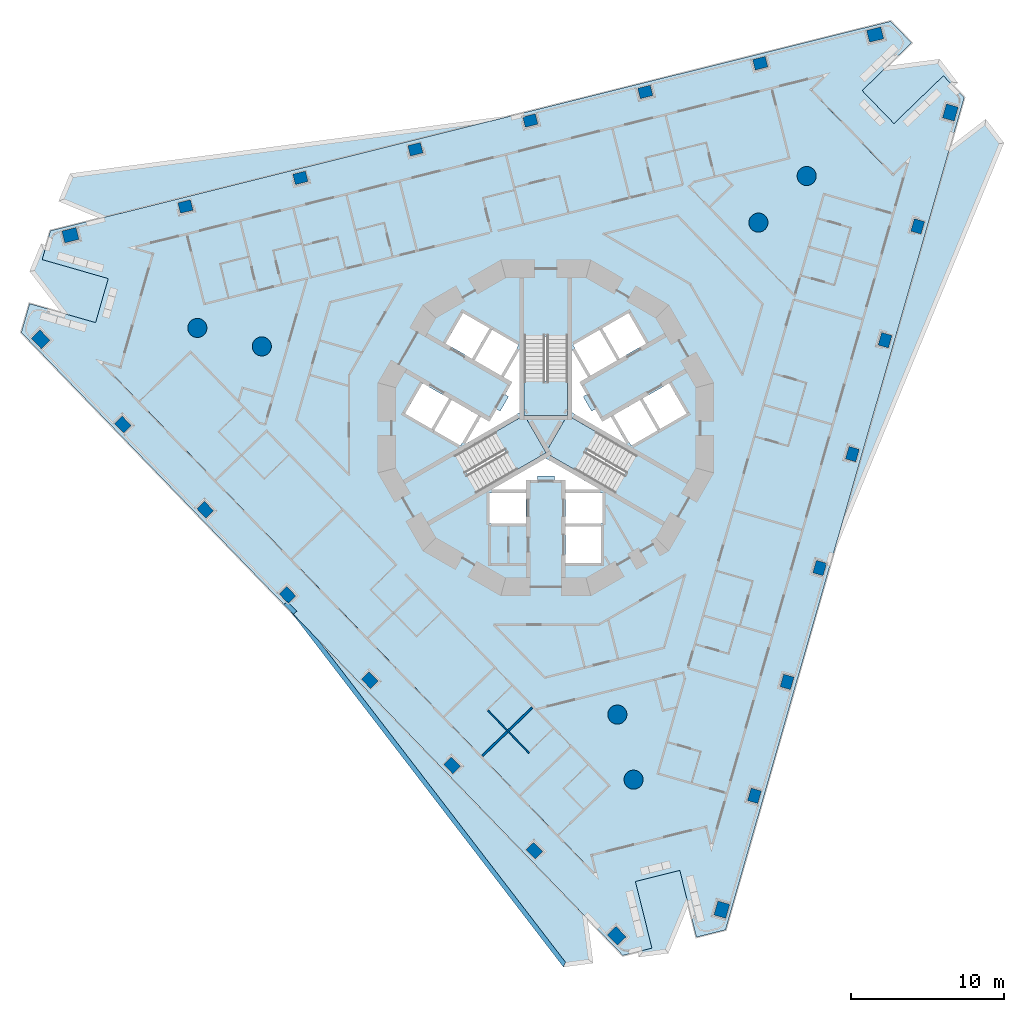
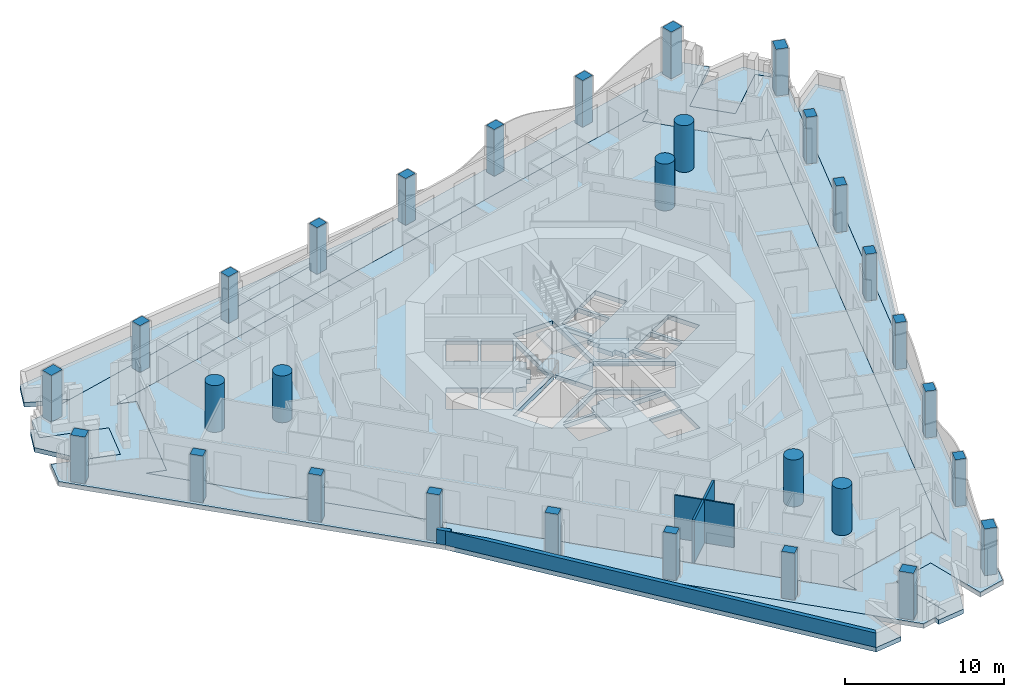
# One storey, part 1 of 19: 30 columns, 12 slabs, 4 walls, 3 elements without a shape of their own.
"""IFC4 building model written with IfcOpenShell, lengths in metres."""

from ifc_helpers import new_model, si_unit, direction, frame, frame_2d, origin, origin_2d, place, context, subcontext, project, spatial, polyline, rectangle, circle, outline, extrude, material, layer, layer_set, material_profile, profile_set, type_object, element, aggregate, save


model = new_model("IFC4")

# Units and contexts
model_context = context("Model", 3, precision=1e-05, world=origin(), true_north=direction((0.0, 1.0)))
body_context = subcontext(model_context, "Body", "Model", "MODEL_VIEW")
ifc_project = project(units=[si_unit("LENGTHUNIT", "METRE"), si_unit("AREAUNIT", "SQUARE_METRE"), si_unit("VOLUMEUNIT", "CUBIC_METRE"), si_unit("PLANEANGLEUNIT", "RADIAN"), si_unit("MASSUNIT", "GRAM", prefix="KILO")], contexts=[model_context])

# Site, building, storey
site_placement = place(None, origin())
site = spatial("IfcSite", under=ifc_project, at=site_placement, CompositionType="ELEMENT")
building_placement = place(site_placement, origin())
building = spatial("IfcBuilding", under=site, at=building_placement, Name="Trine Commons Tower", CompositionType="ELEMENT")
storey_placement = place(building_placement, frame((0.0, 0.0, 87.300048828125)))
storey = spatial("IfcBuildingStorey", under=building, at=storey_placement, Name="L21", CompositionType="ELEMENT", Elevation=87.300048828125)

# Columns
ifc_material_1 = material(Name="Concrete C70/85", Category="concrete")
ifc_material_profile_1 = material_profile(ifc_material_1, rectangle(XDim=0.85009765625, YDim=0.699951171875, at=origin_2d()), Name="RC 850x700")
ifc_profile_set_1 = profile_set([ifc_material_profile_1], Name="Concrete C70/85")
column_type_1 = type_object("IfcColumnType", Name="RC column 850x700, C70/85", PredefinedType="COLUMN", material=ifc_profile_set_1)
for number, where, z_axis, x_axis, name in (
    (1, (79.251708984375, 34.81640625, -0.35009765625), (0.0, 0.0, 1.0), (-0.694658370459, 0.719339800339, 0.0), "Column PC3-02 L21"),
    (2, (73.86279296875, 40.396728515625, -0.35009765625), (0.0, 0.0, 1.0), (-0.694658370459, 0.719339800339, 0.0), "Column PC3-03 L21"),
    (3, (68.473876953125, 45.977294921875, -0.35009765625), (0.0, 0.0, 1.0), (-0.694658370459, 0.719339800339, 0.0), "Column PC3-04 L21"),
    (4, (63.0849609375, 51.5576171875, -0.35009765625), (0.0, 0.0, 1.0), (-0.694658370459, 0.719339800339, 0.0), "Column PC3-05 L21"),
    (5, (57.696044921875, 57.137939453125, -0.35009765625), (0.0, 0.0, 1.0), (-0.694658370459, 0.719339800339, 0.0), "Column PC3-06 L21"),
    (6, (52.30712890625, 62.71826171875, -0.35009765625), (0.0, 0.0, 1.0), (-0.694658370459, 0.719339800339, 0.0), "Column PC3-07 L21"),
    (7, (56.3994140625, 76.98974609375, -0.35009765625), (0.0, 0.0, 1.0), (0.970295726276, 0.2419218956, 0.0), "Column PC3-10 L21"),
    (8, (63.926513671875, 78.86669921875, -0.35009765625), (0.0, 0.0, 1.0), (0.970295726276, 0.2419218956, 0.0), "Column PC3-11 L21"),
    (9, (71.453857421875, 80.743408203125, -0.35009765625), (0.0, 0.0, 1.0), (0.970295726276, 0.2419218956, 0.0), "Column PC3-12 L21"),
    (10, (78.981201171875, 82.6201171875, -0.35009765625), (0.0, 0.0, 1.0), (0.970295726276, 0.2419218956, 0.0), "Column PC3-13 L21"),
    (11, (86.50830078125, 84.496826171875, -0.35009765625), (0.0, 0.0, 1.0), (0.970295726276, 0.2419218956, 0.0), "Column PC3-14 L21"),
    (12, (94.035400390625, 86.37353515625, -0.35009765625), (0.0, 0.0, 1.0), (0.970295726276, 0.2419218956, 0.0), "Column PC3-15 L21"),
    (13, (104.348876953125, 75.69384765625, -0.35009765625), (0.0, 0.0, 1.0), (0.275637355817, 0.961261695938, 0.0), "Column PC3-18 L21"),
    (14, (102.210693359375, 68.23681640625, -0.35009765625), (0.0, 0.0, 1.0), (0.275637355817, 0.961261695938, 0.0), "Column PC3-19 L21"),
    (15, (100.072265625, 60.779541015625, -0.35009765625), (0.0, 0.0, 1.0), (0.275637355817, 0.961261695938, 0.0), "Column PC3-20 L21"),
    (16, (97.93408203125, 53.322509765625, -0.35009765625), (0.0, 0.0, 1.0), (0.275637355817, 0.961261695938, 0.0), "Column PC3-21 L21"),
    (17, (95.795654296875, 45.865234375, -0.35009765625), (0.0, 0.0, 1.0), (0.275637355817, 0.961261695938, 0.0), "Column PC3-22 L21"),
    (18, (93.657470703125, 38.408203125, -0.35009765625), (0.0, 0.0, 1.0), (0.275637355817, 0.961261695938, 0.0), "Column PC3-23 L21"),
):
    element("IfcColumn", number, at=place(storey_placement, frame(where, z_axis=z_axis, x_axis=x_axis)), inside=storey, type_object=column_type_1, Name=name, PredefinedType="COLUMN", context=body_context, shape_type="SweptSolid", body=[
        extrude(rectangle(XDim=0.85009765625, YDim=0.699951171875, at=origin_2d()), origin(), (0.0, 0.0, 1.0), 3.949951171875),
    ])
ifc_material_profile_2 = material_profile(ifc_material_1, rectangle(XDim=0.949951171875, YDim=0.800048828125, at=origin_2d()), Name="RC 950x800")
ifc_profile_set_2 = profile_set([ifc_material_profile_2], Name="Concrete C70/85")
column_type_2 = type_object("IfcColumnType", Name="RC column 950x800, C70/85", PredefinedType="COLUMN", material=ifc_profile_set_2)
for number, where, z_axis, x_axis, name in (
    (19, (84.640625, 29.236083984375, -0.35009765625), (0.0, 0.0, 1.0), (-0.694658370459, 0.719339800339, 0.0), "Column PC3-01 L21"),
    (20, (46.918212890625, 68.298583984375, -0.35009765625), (0.0, 0.0, 1.0), (-0.694658370459, 0.719339800339, 0.0), "Column PC3-08 L21"),
    (21, (48.872314453125, 75.113037109375, -0.35009765625), (0.0, 0.0, 1.0), (0.970295726276, 0.2419218956, 0.0), "Column PC3-09 L21"),
    (22, (101.562744140625, 88.250244140625, -0.35009765625), (0.0, 0.0, 1.0), (0.970295726276, 0.2419218956, 0.0), "Column PC3-16 L21"),
    (23, (106.4873046875, 83.15087890625, -0.35009765625), (0.0, 0.0, 1.0), (0.275637355817, 0.961261695938, 0.0), "Column PC3-17 L21"),
    (24, (91.51904296875, 30.950927734375, -0.35009765625), (0.0, 0.0, 1.0), (0.275637355817, 0.961261695938, 0.0), "Column PC3-24 L21"),
):
    element("IfcColumn", number, at=place(storey_placement, frame(where, z_axis=z_axis, x_axis=x_axis)), inside=storey, type_object=column_type_2, Name=name, PredefinedType="COLUMN", context=body_context, shape_type="SweptSolid", body=[
        extrude(rectangle(XDim=0.949951171875, YDim=0.800048828125, at=origin_2d()), origin(), (0.0, 0.0, 1.0), 3.949951171875),
    ])
ifc_material_profile_3 = material_profile(ifc_material_1, circle(Radius=0.625, at=origin_2d()), Name="RC round 1250")
ifc_profile_set_3 = profile_set([ifc_material_profile_3], Name="Concrete C70/85")
column_type_3 = type_object("IfcColumnType", Name="RC round column 1250 mm, C70/85", PredefinedType="COLUMN", material=ifc_profile_set_3)
for number, where, z_axis, x_axis, name in (
    (25, (84.6806640625, 43.726806640625, -0.35009765625), (0.0, 0.0, 1.0), (1.0, 0.0, 0.0), "Column WC3-1 L21"),
    (26, (85.742919921875, 39.4658203125, -0.35009765625), (0.0, 0.0, 1.0), (1.0, 0.0, 0.0), "Column WC3-2 L21"),
    (27, (93.917724609375, 75.940185546875, -0.35009765625), (0.0, 0.0, 1.0), (1.0, 0.0, 0.0), "Column WC3-3 L21"),
    (28, (97.07666015625, 78.99072265625, -0.35009765625), (0.0, 0.0, 1.0), (1.0, 0.0, 0.0), "Column WC3-4 L21"),
    (29, (61.401611328125, 67.8330078125, -0.35009765625), (0.0, 0.0, 1.0), (1.0, 0.0, 0.0), "Column WC3-5 L21"),
    (30, (57.180419921875, 69.04345703125, -0.35009765625), (0.0, 0.0, 1.0), (1.0, 0.0, 0.0), "Column WC3-6 L21"),
):
    element("IfcColumn", number, at=place(storey_placement, frame(where, z_axis=z_axis, x_axis=x_axis)), inside=storey, type_object=column_type_3, Name=name, PredefinedType="COLUMN", context=body_context, shape_type="SweptSolid", body=[
        extrude(circle(Radius=0.625, at=origin_2d()), origin(), (0.0, 0.0, 1.0), 3.949951171875),
    ])

# Slabs
ifc_material_2 = material(Name="Concrete C50/60", Category="concrete")
ifc_layer_1 = layer(ifc_material_2, 0.35009765625)
ifc_layer_set_1 = layer_set([ifc_layer_1], Name="Concrete C50/60")
slab_type_1 = type_object("IfcSlabType", Name="Loggia slab 350 mm, C50/60", PredefinedType="FLOOR", material=ifc_layer_set_1)
slab_1_placement = place(storey_placement, frame((0.0, 0.0, -0.35009765625)))
element("IfcSlab", 31, at=slab_1_placement, inside=storey, type_object=slab_type_1, Name="Loggia slab L21", PredefinedType="FLOOR", context=body_context, shape_type="SweptSolid", body=[
    extrude(outline(polyline([(91.764892578125, 29.632080078125), (107.394775390625, 84.13916015625), (106.0302734375, 85.552001953125), (102.793212890625, 82.426025390625), (100.709228515625, 84.583984375), (103.9462890625, 87.7099609375), (102.581787109375, 89.122802734375), (47.562744140625, 75.405029296875), (47.021240234375, 73.516845703125), (51.346923828125, 72.276611328125), (50.52001953125, 69.392822265625), (46.1943359375, 70.63330078125), (45.653076171875, 68.7451171875), (85.04248046875, 27.9560546875), (86.948486328125, 28.43115234375), (85.85986328125, 32.797607421875), (88.7705078125, 33.523193359375), (89.859375, 29.156982421875), (91.764892578125, 29.632080078125)]), holes=[polyline([(83.27587890625, 33.240478515625), (82.950439453125, 34.545654296875), (90.518798828125, 36.4326171875), (90.843994140625, 35.12744140625), (103.701416015625, 79.966796875), (102.73388671875, 79.032470703125), (97.315673828125, 84.643310546875), (98.283203125, 85.577392578125), (53.022705078125, 74.292724609375), (54.3154296875, 73.922119140625), (52.16552734375, 66.42431640625), (50.872802734375, 66.794921875), (83.27587890625, 33.240478515625)])]), origin(), (0.0, 0.0, 1.0), 0.35009765625),
])
ifc_layer_2 = layer(ifc_material_2, 0.35009765625)
ifc_layer_set_2 = layer_set([ifc_layer_2], Name="Concrete C50/60")
slab_type_2 = type_object("IfcSlabType", Name="PT flat slab 350 mm, C50/60", PredefinedType="FLOOR", material=ifc_layer_set_2)
slab_2_placement = place(storey_placement, frame((0.0, 0.0, -0.35009765625)))
element("IfcSlab", 32, at=slab_2_placement, inside=storey, type_object=slab_type_2, Name="Floor slab L21", PredefinedType="FLOOR", context=body_context, shape_type="SweptSolid", body=[
    extrude(outline(polyline([(50.872802734375, 66.794921875), (83.27587890625, 33.240478515625), (82.950439453125, 34.545654296875), (90.518798828125, 36.4326171875), (90.843994140625, 35.12744140625), (103.701416015625, 79.966796875), (102.73388671875, 79.032470703125), (97.315673828125, 84.643310546875), (98.283203125, 85.577392578125), (53.022705078125, 74.292724609375), (54.3154296875, 73.922119140625), (52.16552734375, 66.42431640625), (50.872802734375, 66.794921875)]), holes=[polyline([(76.300048828125, 56.25), (78.699951171875, 56.25), (78.699951171875, 58.25), (76.300048828125, 58.25), (76.300048828125, 56.25)]), polyline([(81.14990234375, 59.10009765625), (81.300048828125, 58.449951171875), (83.56494140625, 58.449951171875), (80.0, 60.508056640625), (76.43505859375, 58.449951171875), (78.699951171875, 58.449951171875), (78.85009765625, 59.10009765625), (79.449951171875, 59.10009765625), (79.449951171875, 59.360107421875), (80.550048828125, 59.360107421875), (80.550048828125, 59.10009765625), (81.14990234375, 59.10009765625)]), polyline([(80.0, 60.8544921875), (84.4755859375, 58.2705078125), (85.900390625, 60.73876953125), (81.425048828125, 63.32275390625), (81.425048828125, 68.490478515625), (78.574951171875, 68.490478515625), (78.574951171875, 63.32275390625), (74.099609375, 60.73876953125), (75.5244140625, 58.2705078125), (80.0, 60.8544921875)]), polyline([(73.83740234375, 64.325927734375), (72.687255859375, 62.333984375), (74.41943359375, 61.333984375), (75.5693359375, 63.325927734375), (73.83740234375, 64.325927734375)]), polyline([(71.93212890625, 65.426025390625), (70.781982421875, 63.43408203125), (72.51416015625, 62.43408203125), (73.6640625, 64.426025390625), (71.93212890625, 65.426025390625)]), polyline([(76.781005859375, 63.722900390625), (76.381103515625, 63.031005859375), (75.742919921875, 63.22607421875), (74.7099609375, 61.43798828125), (78.27490234375, 63.49609375), (78.27490234375, 67.612060546875), (77.242919921875, 65.823974609375), (77.73095703125, 65.368896484375), (77.3310546875, 64.676025390625), (77.555908203125, 64.5458984375), (77.006103515625, 63.593994140625), (76.781005859375, 63.722900390625)]), polyline([(76.4873046875, 68.916015625), (75.33740234375, 66.924072265625), (77.0693359375, 65.924072265625), (78.219482421875, 67.916015625), (76.4873046875, 68.916015625)]), polyline([(74.58203125, 70.015869140625), (73.43212890625, 68.02392578125), (75.1640625, 67.02392578125), (76.314208984375, 69.015869140625), (74.58203125, 70.015869140625)]), polyline([(81.300048828125, 53.64990234375), (83.60009765625, 53.64990234375), (83.60009765625, 56.050048828125), (81.300048828125, 56.050048828125), (81.300048828125, 53.64990234375)]), polyline([(81.300048828125, 56.25), (83.699951171875, 56.25), (83.699951171875, 58.25), (81.300048828125, 58.25), (81.300048828125, 56.25)]), polyline([(87.312744140625, 62.333984375), (86.16259765625, 64.325927734375), (84.4306640625, 63.325927734375), (85.58056640625, 61.333984375), (87.312744140625, 62.333984375)]), polyline([(89.218017578125, 63.43408203125), (88.06787109375, 65.426025390625), (86.3359375, 64.426025390625), (87.48583984375, 62.43408203125), (89.218017578125, 63.43408203125)]), polyline([(83.243896484375, 63.738037109375), (82.993896484375, 63.593994140625), (82.444091796875, 64.5458984375), (82.72705078125, 64.7099609375), (82.281005859375, 65.549072265625), (82.757080078125, 65.823974609375), (81.72509765625, 67.612060546875), (81.72509765625, 63.49609375), (85.2900390625, 61.43798828125), (84.257080078125, 63.22607421875), (83.618896484375, 63.031005859375), (83.243896484375, 63.738037109375)]), polyline([(82.9306640625, 65.924072265625), (84.66259765625, 66.924072265625), (83.5126953125, 68.916015625), (81.780517578125, 67.916015625), (82.9306640625, 65.924072265625)]), polyline([(84.8359375, 67.02392578125), (86.56787109375, 68.02392578125), (85.41796875, 70.015869140625), (83.685791015625, 69.015869140625), (84.8359375, 67.02392578125)])]), origin(), (0.0, 0.0, 1.0), 0.35009765625),
])
slab_3_placement = place(storey_placement, frame((0.0, 0.0, -0.35009765625)))
element("IfcSlab", 33, at=slab_3_placement, inside=storey, type_object=slab_type_2, Name="Floor slab L21 2", PredefinedType="FLOOR", context=body_context, shape_type="SweptSolid", body=[
    extrude(outline(polyline([(78.61328125, 63.300537109375), (80.0, 60.89892578125), (81.38671875, 63.300537109375), (78.61328125, 63.300537109375)])), origin(), (0.0, 0.0, 1.0), 0.35009765625),
])
ifc_layer_3 = layer(ifc_material_2, 0.35009765625)
ifc_layer_set_3 = layer_set([ifc_layer_3], Name="Concrete C50/60")
slab_type_3 = type_object("IfcSlabType", Name="Roof slab 350 mm, C50/60", PredefinedType="ROOF", material=ifc_layer_set_3)
slab_4_placement = place(storey_placement, frame((0.0, 0.0, -0.35009765625)))
element("IfcSlab", 34, at=slab_4_placement, inside=storey, type_object=slab_type_3, Name="Roof slab L21 1", PredefinedType="ROOF", context=body_context, shape_type="SweptSolid", body=[
    extrude(outline(polyline([(48.281982421875, 70.034423828125), (50.52001953125, 69.392822265625), (51.346923828125, 72.276611328125), (47.021240234375, 73.516845703125), (47.28271484375, 74.428466796875), (46.948486328125, 74.56689453125), (46.19677734375, 72.752197265625), (48.281982421875, 70.034423828125)])), origin(), (0.0, 0.0, 1.0), 0.35009765625),
])
slab_5_placement = place(storey_placement, frame((0.0, 0.0, -0.35009765625)))
element("IfcSlab", 35, at=slab_5_placement, inside=storey, type_object=slab_type_3, Name="Roof slab L21 2", PredefinedType="ROOF", context=body_context, shape_type="SweptSolid", body=[
    extrude(outline(polyline([(50.809814453125, 76.214599609375), (77.97607421875, 82.98779296875), (48.847900390625, 79.153076171875), (48.096435546875, 77.33837890625), (50.809814453125, 76.214599609375)])), origin(), (0.0, 0.0, 1.0), 0.35009765625),
])
slab_6_placement = place(storey_placement, frame((0.0, 0.0, -0.35009765625)))
element("IfcSlab", 36, at=slab_6_placement, inside=storey, type_object=slab_type_3, Name="Roof slab L21 3", PredefinedType="ROOF", context=body_context, shape_type="SweptSolid", body=[
    extrude(outline(polyline([(82.718017578125, 30.36328125), (63.268798828125, 50.50341796875), (81.154052734375, 27.195068359375), (83.101318359375, 27.451416015625), (82.718017578125, 30.36328125)])), origin(), (0.0, 0.0, 1.0), 0.35009765625),
])
slab_7_placement = place(storey_placement, frame((0.0, 0.0, -0.35009765625)))
element("IfcSlab", 37, at=slab_7_placement, inside=storey, type_object=slab_type_3, Name="Roof slab L21 4", PredefinedType="ROOF", context=body_context, shape_type="SweptSolid", body=[
    extrude(outline(polyline([(88.02294921875, 28.099365234375), (89.333984375, 31.264404296875), (88.7705078125, 33.523193359375), (85.85986328125, 32.797607421875), (86.948486328125, 28.43115234375), (86.0283203125, 28.201904296875), (86.07568359375, 27.843017578125), (88.02294921875, 28.099365234375)])), origin(), (0.0, 0.0, 1.0), 0.35009765625),
])
slab_8_placement = place(storey_placement, frame((0.0, 0.0, -0.35009765625)))
element("IfcSlab", 38, at=slab_8_placement, inside=storey, type_object=slab_type_3, Name="Roof slab L21 5", PredefinedType="ROOF", context=body_context, shape_type="SweptSolid", body=[
    extrude(outline(polyline([(102.384033203125, 86.201171875), (100.709228515625, 84.583984375), (102.793212890625, 82.426025390625), (106.0302734375, 85.552001953125), (106.68896484375, 84.869873046875), (106.97607421875, 85.090087890625), (105.780517578125, 86.6484375), (102.384033203125, 86.201171875)])), origin(), (0.0, 0.0, 1.0), 0.35009765625),
])
slab_9_placement = place(storey_placement, frame((0.0, 0.0, -0.35009765625)))
element("IfcSlab", 39, at=slab_9_placement, inside=storey, type_object=slab_type_3, Name="Roof slab L21 6", PredefinedType="ROOF", context=body_context, shape_type="SweptSolid", body=[
    extrude(outline(polyline([(106.47216796875, 80.922119140625), (98.7548828125, 54.0087890625), (109.998046875, 81.15185546875), (108.80224609375, 82.710205078125), (106.47216796875, 80.922119140625)])), origin(), (0.0, 0.0, 1.0), 0.35009765625),
])

# Stair, slab
stair_type = type_object("IfcStairType", Name="Exit stair, dog-leg, 24 risers of 150 mm", PredefinedType="HALF_TURN_STAIR", material=ifc_material_2)
stair_1_placement = place(storey_placement, origin())
stair_1 = element("IfcStair", 40, at=stair_1_placement, inside=storey, type_object=stair_type, Name="L21 Exit stair ST1A", PredefinedType="HALF_TURN_STAIR")
ifc_layer_4 = layer(ifc_material_2, 0.199951171875)
ifc_layer_set_4 = layer_set([ifc_layer_4], Name="Concrete C50/60")
slab_type_4 = type_object("IfcSlabType", Name="Stair landing slab 200 mm, C50/60", PredefinedType="LANDING", material=ifc_layer_set_4)
slab_10_placement = place(storey_placement, frame((0.0, 0.0, 1.599853515625)))
slab_10 = element("IfcSlab", 41, at=slab_10_placement, type_object=slab_type_4, Name="ST1A landing 1", PredefinedType="LANDING", context=body_context, shape_type="SweptSolid", body=[
    extrude(outline(polyline([(78.574951171875, 65.570556640625), (78.574951171875, 63.300537109375), (81.425048828125, 63.300537109375), (81.425048828125, 65.570556640625), (78.574951171875, 65.570556640625)])), origin(), (0.0, 0.0, 1.0), 0.2001953125),
])
aggregate(stair_1, [slab_10])

stair_2_placement = place(storey_placement, origin())
stair_2 = element("IfcStair", 42, at=stair_2_placement, inside=storey, type_object=stair_type, Name="L21 Exit stair ST2A", PredefinedType="HALF_TURN_STAIR")
slab_11_placement = place(storey_placement, frame((0.0, 0.0, 1.599853515625)))
slab_11 = element("IfcSlab", 43, at=slab_11_placement, type_object=slab_type_4, Name="ST2A landing 1", PredefinedType="LANDING", context=body_context, shape_type="SweptSolid", body=[
    extrude(outline(polyline([(78.05322265625, 59.730712890625), (80.019287109375, 60.86572265625), (78.59423828125, 63.333740234375), (76.628173828125, 62.19873046875), (78.05322265625, 59.730712890625)])), origin(), (0.0, 0.0, 1.0), 0.2001953125),
])
aggregate(stair_2, [slab_11])

stair_3_placement = place(storey_placement, origin())
stair_3 = element("IfcStair", 44, at=stair_3_placement, inside=storey, type_object=stair_type, Name="L21 Exit stair ST3A", PredefinedType="HALF_TURN_STAIR")
slab_12_placement = place(storey_placement, frame((0.0, 0.0, 1.599853515625)))
slab_12 = element("IfcSlab", 45, at=slab_12_placement, type_object=slab_type_4, Name="ST3A landing 1", PredefinedType="LANDING", context=body_context, shape_type="SweptSolid", body=[
    extrude(outline(polyline([(83.371826171875, 62.19873046875), (81.40576171875, 63.333740234375), (79.980712890625, 60.86572265625), (81.94677734375, 59.730712890625), (83.371826171875, 62.19873046875)])), origin(), (0.0, 0.0, 1.0), 0.2001953125),
])
aggregate(stair_3, [slab_12])

# Walls
ifc_material_3 = material(Name="Limestone, honed", Category="masonry")
ifc_layer_5 = layer(ifc_material_3, 0.300048828125)
ifc_layer_set_5 = layer_set([ifc_layer_5], Name="Limestone, honed")
wall_type_1 = type_object("IfcWallType", Name="Stone parapet 300", PredefinedType="PARAPET", material=ifc_layer_set_5)
wall_1_placement = place(storey_placement, origin())
element("IfcWall", 46, at=wall_1_placement, inside=storey, type_object=wall_type_1, Name="Sliver roof parapet L20 3.1", PredefinedType="PARAPET", context=body_context, shape_type="SweptSolid", body=[
    extrude(outline(polyline([(63.268798828125, 50.50341796875), (81.154052734375, 27.195068359375), (81.28662109375, 27.51513671875), (65.10986328125, 48.596923828125), (63.268798828125, 50.50341796875)])), origin(), (0.0, 0.0, 1.0), 1.099853515625),
])
wall_2_placement = place(storey_placement, origin())
element("IfcWall", 47, at=wall_2_placement, inside=storey, type_object=wall_type_1, Name="Sliver roof parapet extension L20 3.X1", PredefinedType="PARAPET", context=body_context, shape_type="SweptSolid", body=[
    extrude(outline(polyline([(63.06787109375, 51.143310546875), (62.85205078125, 50.934814453125), (63.477294921875, 50.28759765625), (63.693115234375, 50.495849609375), (63.06787109375, 51.143310546875)])), origin(), (0.0, 0.0, 1.0), 1.099853515625),
])
ifc_material_4 = material(Name="Gypsum plasterboard on steel stud", Category="steel")
ifc_layer_6 = layer(ifc_material_4, 0.14990234375)
ifc_layer_set_6 = layer_set([ifc_layer_6], Name="Gypsum plasterboard on steel stud")
wall_type_2 = type_object("IfcWallType", Name="Unit and corridor wall 150 mm, EI 60", PredefinedType="PARTITIONING", material=ifc_layer_set_6)
wall_3_placement = place(storey_placement, frame((75.826904296875, 41.01171875, 0.0), z_axis=(0.0, 0.0, 1.0), x_axis=(0.719333374814, 0.694665024223, 0.0)))
element("IfcWall", 48, at=wall_3_placement, inside=storey, type_object=wall_type_2, Name="Partition 052", PredefinedType="PARTITIONING", context=body_context, shape_type="SweptSolid", body=[
    extrude(rectangle(XDim=4.572265625, YDim=0.14990234375, at=frame_2d((2.2861328125, 0.0))), origin(), (0.0, 0.0, 1.0), 3.300048828125),
])
ifc_layer_7 = layer(ifc_material_4, 0.10009765625)
ifc_layer_set_7 = layer_set([ifc_layer_7], Name="Gypsum plasterboard on steel stud")
wall_type_3 = type_object("IfcWallType", Name="Unit partition 100 mm, no rating", PredefinedType="PARTITIONING", material=ifc_layer_set_7)
wall_4_placement = place(storey_placement, frame((76.19580078125, 44.009033203125, 0.0), z_axis=(0.0, 0.0, 1.0), x_axis=(0.694697299155, -0.719302205298, 0.0)))
element("IfcWall", 49, at=wall_4_placement, inside=storey, type_object=wall_type_3, Name="Partition 056", PredefinedType="PARTITIONING", context=body_context, shape_type="SweptSolid", body=[
    extrude(rectangle(XDim=3.8994140625, YDim=0.10009765625, at=frame_2d((1.94970703125, 0.0))), origin(), (0.0, 0.0, 1.0), 3.300048828125),
])

save(model, "model.ifc")
